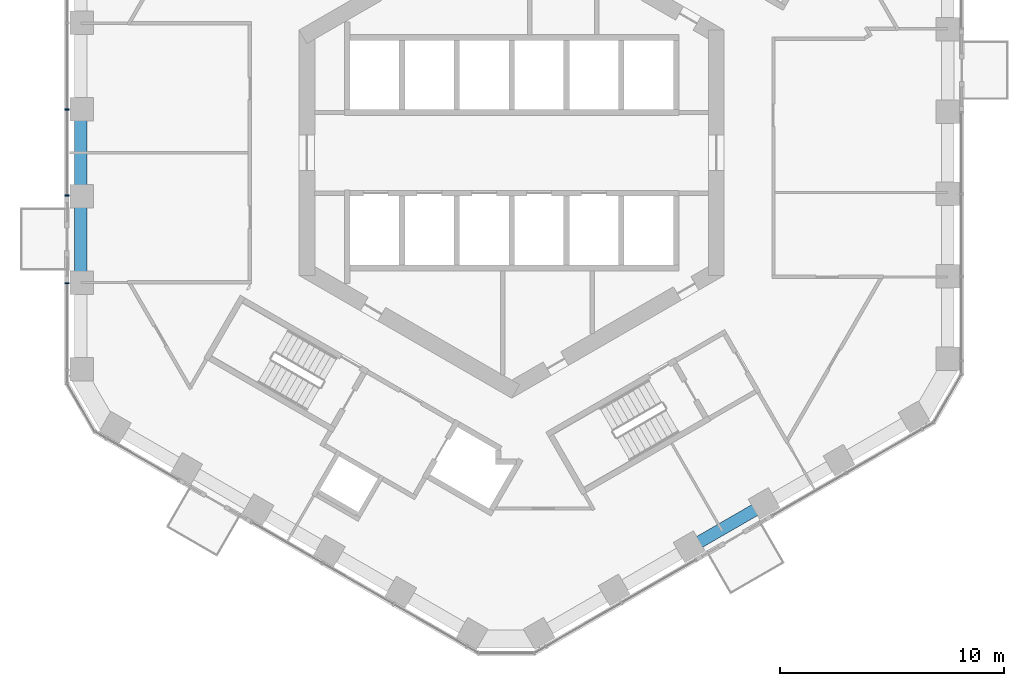
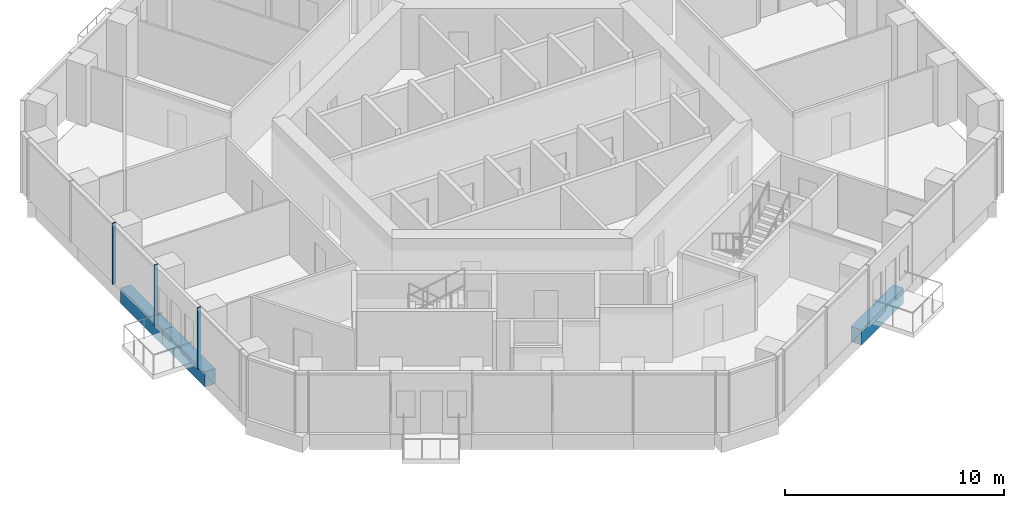
# One storey, part 3 of 20: 3 beams, 3 members, 2 elements without a shape of their own.
"""IFC4 building model written with IfcOpenShell, lengths in metres."""

from ifc_helpers import new_model, si_unit, direction, frame, origin, origin_2d, place, context, subcontext, project, spatial, rectangle, extrude, material, layer, layer_set, material_profile, profile_set, type_object, element, aggregate, save


model = new_model("IFC4")

# Units and contexts
model_context = context("Model", 3, precision=1e-05, world=origin(), true_north=direction((0.0, 1.0)))
body_context = subcontext(model_context, "Body", "Model", "MODEL_VIEW")
ifc_project = project(units=[si_unit("LENGTHUNIT", "METRE"), si_unit("AREAUNIT", "SQUARE_METRE"), si_unit("VOLUMEUNIT", "CUBIC_METRE"), si_unit("PLANEANGLEUNIT", "RADIAN"), si_unit("MASSUNIT", "GRAM", prefix="KILO")], contexts=[model_context])

# Site, building, storey
site_placement = place(None, origin())
site = spatial("IfcSite", under=ifc_project, at=site_placement, CompositionType="ELEMENT")
building_placement = place(site_placement, origin())
building = spatial("IfcBuilding", under=site, at=building_placement, Name="Ayvan Gate Tower", CompositionType="ELEMENT")
storey_placement = place(building_placement, frame((0.0, 0.0, 96.699951171875)))
storey = spatial("IfcBuildingStorey", under=building, at=storey_placement, Name="L25", CompositionType="ELEMENT", Elevation=96.699951171875)

# Beams
ifc_material_1 = material(Name="Concrete C40/50", Category="concrete")
ifc_material_profile_1 = material_profile(ifc_material_1, rectangle(XDim=0.550048828125, YDim=0.85009765625, at=origin_2d()), Name="RC 550x850")
ifc_profile_set_1 = profile_set([ifc_material_profile_1], Name="Concrete C40/50")
beam_type = type_object("IfcBeamType", Name="Spandrel beam RC 550x850 C40/50", PredefinedType="BEAM", material=ifc_profile_set_1)
for number, where, z_axis, x_axis, name in (
    (1, (-19.26171875, 1.929443359375, -0.77490234375), (0.0, -1.0, 0.0), (1.0, 0.0, 0.0), "SB-L25-21"),
    (2, (-19.26171875, -1.929443359375, -0.77490234375), (0.0, -1.0, 0.0), (1.0, 0.0, 0.0), "SB-L25-22"),
    (3, (7.9599609375, -17.645751953125, -0.77490234375), (0.8660191159, 0.500010890777, 0.0), (-0.500010890777, 0.8660191159, 0.0), "SB-L25-33"),
):
    element("IfcBeam", number, at=place(storey_placement, frame(where, z_axis=z_axis, x_axis=x_axis)), inside=storey, type_object=beam_type, Name=name, PredefinedType="BEAM", context=body_context, shape_type="SweptSolid", body=[
        extrude(rectangle(XDim=0.550048828125, YDim=0.85009765625, at=origin_2d()), origin(), (0.0, 0.0, 1.0), 3.85888671875),
    ])

# Curtain wall, members
ifc_material_2 = material(Name="Bronze anodised aluminium", Category="aluminium")
ifc_layer = layer(ifc_material_2, 0.199951171875)
ifc_layer_set = layer_set([ifc_layer], Name="Bronze anodised aluminium")
curtain_wall_type = type_object("IfcCurtainWallType", Name="Stick curtain wall CW-1", PredefinedType="NOTDEFINED", material=ifc_layer_set)
curtain_wall_1_placement = place(storey_placement, origin())
curtain_wall_1 = element("IfcCurtainWall", 4, at=curtain_wall_1_placement, inside=storey, type_object=curtain_wall_type, Name="Stick curtain wall CW-1 L25", PredefinedType="NOTDEFINED")
ifc_material_profile_2 = material_profile(ifc_material_2, rectangle(XDim=0.199951171875, YDim=0.06005859375, at=origin_2d()), Name="Stick curtain wall CW-1 mullion 200 x 60")
ifc_profile_set_2 = profile_set([ifc_material_profile_2], Name="Bronze anodised aluminium")
member_type = type_object("IfcMemberType", Name="Stick curtain wall CW-1 mullion 200 x 60", PredefinedType="MULLION", material=ifc_profile_set_2)
member_1_placement = place(storey_placement, frame((-19.873291015625, 1.934326171875, 0.0), z_axis=(0.0, 0.0, 1.0), x_axis=(-1.0, 0.0, 0.0)))
member_1 = element("IfcMember", 5, at=member_1_placement, type_object=member_type, Name="CW-1 mullion 3", PredefinedType="MULLION", context=body_context, shape_type="SweptSolid", body=[
    extrude(rectangle(XDim=0.199951171875, YDim=0.06005859375, at=origin_2d()), origin(), (0.0, 0.0, 1.0), 3.400146484375),
])
member_2_placement = place(storey_placement, frame((-19.873291015625, -1.90478515625, 0.0), z_axis=(0.0, 0.0, 1.0), x_axis=(-1.0, 0.0, 0.0)))
member_2 = element("IfcMember", 6, at=member_2_placement, type_object=member_type, Name="CW-1 mullion 4", PredefinedType="MULLION", context=body_context, shape_type="SweptSolid", body=[
    extrude(rectangle(XDim=0.199951171875, YDim=0.06005859375, at=origin_2d()), origin(), (0.0, 0.0, 1.0), 3.400146484375),
])
aggregate(curtain_wall_1, [member_1, member_2])

# Curtain wall, member
curtain_wall_2_placement = place(storey_placement, origin())
curtain_wall_2 = element("IfcCurtainWall", 7, at=curtain_wall_2_placement, inside=storey, type_object=curtain_wall_type, Name="Stick curtain wall CW-1 L25", PredefinedType="NOTDEFINED")
member_3_placement = place(storey_placement, frame((-19.873291015625, -5.833740234375, 0.0), z_axis=(0.0, 0.0, 1.0), x_axis=(-1.0, 0.0, 0.0)))
member_3 = element("IfcMember", 8, at=member_3_placement, type_object=member_type, Name="CW-1 mullion 1", PredefinedType="MULLION", context=body_context, shape_type="SweptSolid", body=[
    extrude(rectangle(XDim=0.199951171875, YDim=0.06005859375, at=origin_2d()), origin(), (0.0, 0.0, 1.0), 3.400146484375),
])
aggregate(curtain_wall_2, [member_3])

save(model, "model.ifc")
